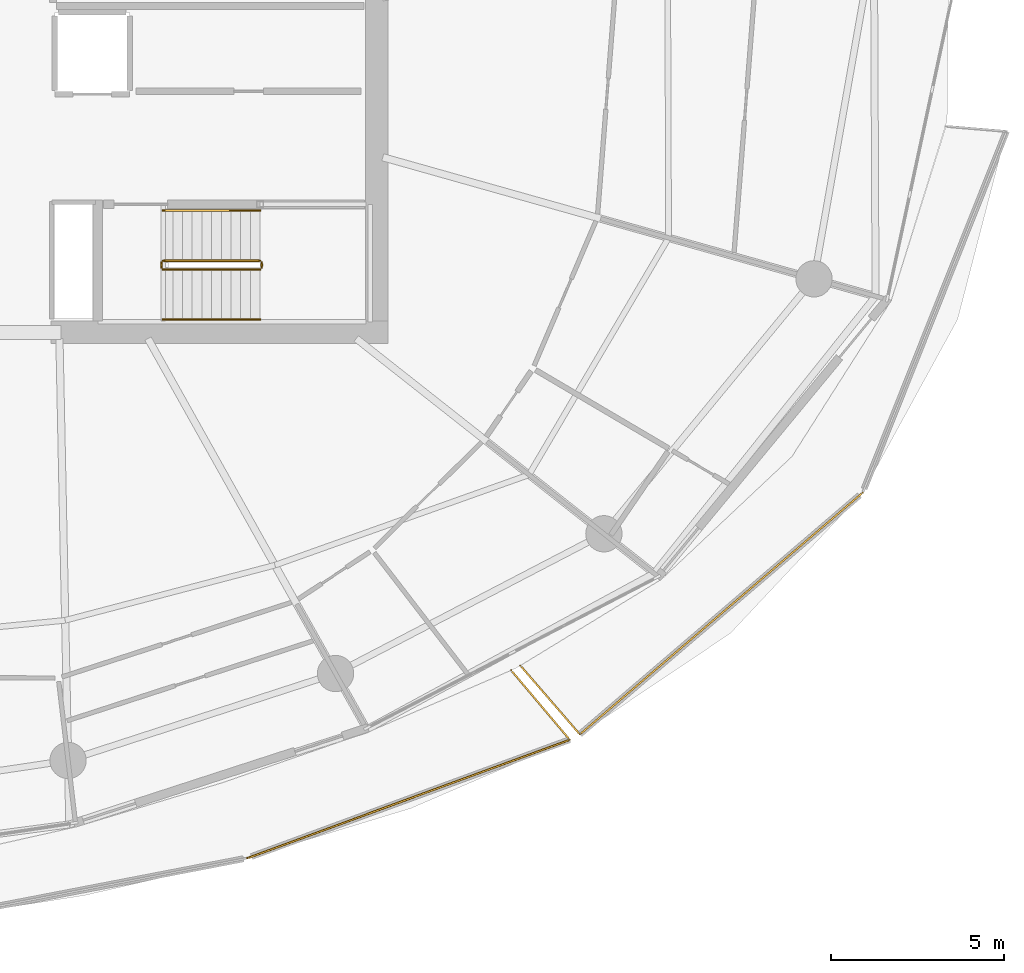
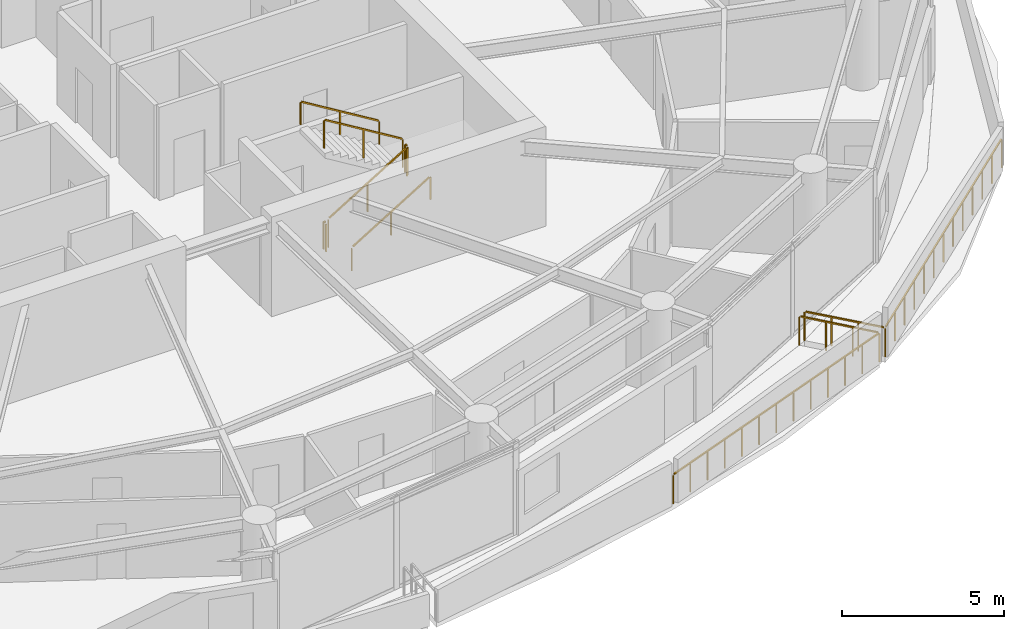
# One storey, part 19 of 21: 10 railings.
"""IFC4 building model written with IfcOpenShell, lengths in metres."""

import ifcopenshell
import ifcopenshell.guid

model = None  # the IFC model being written
_history = None  # IfcOwnerHistory: only IFC2X3 demands one
_inside = {}  # id of a spatial element -> (the spatial element, [elements in it])
_under = {}  # id of a project, library or spatial element -> (it, [spatial elements below it])
_declared = {}  # id of a project -> (the project, [libraries it declares])
_typed = {}  # id of a type object -> (the type object, [elements of that type])
_made_of = {}  # id of a material, layer set ... -> (it, [elements and type objects made of it])


def new_model(schema):
    """Start an empty IFC model of exactly this schema.

    Asked for "IFC4X3", IfcOpenShell would pick the latest addendum, in which some entities
    have other attributes; the version numbers below select the first issue.
    IFC2X3 requires an IfcOwnerHistory on every rooted entity: one is made here for all.
    """
    global model, _history
    if schema == "IFC4X3":
        model = ifcopenshell.file(schema_version=(4, 3, 0, 0))
    else:
        model = ifcopenshell.file(schema=schema)
    _inside.clear()
    _under.clear()
    _declared.clear()
    _typed.clear()
    _made_of.clear()
    _history = None
    if model.schema == "IFC2X3":
        org = make("IfcOrganization", Name="unknown")
        user = make(
            "IfcPersonAndOrganization",
            ThePerson=make("IfcPerson", FamilyName="unknown"),
            TheOrganization=org,
        )
        app = make(
            "IfcApplication",
            ApplicationDeveloper=org,
            Version="unknown",
            ApplicationFullName="unknown",
            ApplicationIdentifier="unknown",
        )
        _history = make(
            "IfcOwnerHistory",
            OwningUser=user,
            OwningApplication=app,
            ChangeAction="ADDED",
            CreationDate=0,
        )
    return model


def make(cls, **values):
    """One entity of the class cls with the attributes given. An attribute that is None is left unset."""
    return model.create_entity(
        cls, **{name: value for name, value in values.items() if value is not None}
    )


def rooted(cls, **values):
    """An entity with a GlobalId (a new one), such as an element, a storey or a relation."""
    return make(cls, GlobalId=ifcopenshell.guid.new(), OwnerHistory=_history, **values)


def si_unit(unit_type, name, prefix=None):
    """IfcSIUnit, for example si_unit("LENGTHUNIT", "METRE", prefix="MILLI")."""
    return make("IfcSIUnit", UnitType=unit_type, Prefix=prefix, Name=name)


def assignment(units):
    """IfcUnitAssignment: the units of a project."""
    return None if units is None else make("IfcUnitAssignment", Units=units)


def point(xyz):
    """IfcCartesianPoint."""
    return None if xyz is None else make("IfcCartesianPoint", Coordinates=xyz)


def direction(xyz):
    """IfcDirection."""
    return None if xyz is None else make("IfcDirection", DirectionRatios=xyz)


def frame(location, z_axis=None, x_axis=None):
    """IfcAxis2Placement3D, a coordinate frame: its origin and axes. An axis left out is left unset."""
    return make(
        "IfcAxis2Placement3D",
        Location=point(location),
        Axis=direction(z_axis),
        RefDirection=direction(x_axis),
    )


def frame_2d(location, x_axis=None):
    """IfcAxis2Placement2D, a coordinate frame in the plane: its origin and x axis."""
    return make(
        "IfcAxis2Placement2D", Location=point(location), RefDirection=direction(x_axis)
    )


def origin():
    """The frame at (0, 0, 0) with its axes left unset."""
    return frame((0.0, 0.0, 0.0))


def origin_2d():
    """The frame at (0, 0) in the plane with its x axis left unset."""
    return frame_2d((0.0, 0.0))


def place(relative_to, where):
    """IfcLocalPlacement: puts the frame where relative to a parent placement (None: the world)."""
    return make(
        "IfcLocalPlacement", PlacementRelTo=relative_to, RelativePlacement=where
    )


def context(
    kind, dimensions, precision=None, world=None, true_north=None, identifier=None
):
    """IfcGeometricRepresentationContext, for example the 3D "Model" context."""
    return make(
        "IfcGeometricRepresentationContext",
        ContextIdentifier=identifier,
        ContextType=kind,
        CoordinateSpaceDimension=dimensions,
        Precision=precision,
        WorldCoordinateSystem=world,
        TrueNorth=true_north,
    )


def subcontext(parent, identifier, kind, view, scale=None):
    """IfcGeometricRepresentationSubContext, for example "Body" below "Model"."""
    return make(
        "IfcGeometricRepresentationSubContext",
        ContextIdentifier=identifier,
        ContextType=kind,
        ParentContext=parent,
        TargetScale=scale,
        TargetView=view,
    )


def project(units=None, contexts=None):
    """IfcProject with its units and contexts."""
    return rooted(
        "IfcProject",
        Name="project",
        RepresentationContexts=contexts,
        UnitsInContext=assignment(units),
    )


def spatial(cls, under=None, at=None, **own):
    """A site, building, storey or space (cls), placed at a placement, below another one or the project."""
    s = rooted(cls, ObjectPlacement=at, **own)
    if under is not None:
        _under.setdefault(under.id(), (under, []))[1].append(s)
    return s


def profile(cls, at=None, kind="AREA", **sizes):
    """A parametric profile (cls). Its sizes go by their IFC names, for example OverallWidth=200.0."""
    return make(cls, ProfileType=kind, Position=at, **sizes)


def rectangle(**sizes):
    """IfcRectangleProfileDef."""
    return profile("IfcRectangleProfileDef", **sizes)


def extrude(swept, where, along, depth):
    """IfcExtrudedAreaSolid: the profile swept, set in the frame where, extruded along a direction by depth."""
    return make(
        "IfcExtrudedAreaSolid",
        SweptArea=swept,
        Position=where,
        ExtrudedDirection=direction(along),
        Depth=depth,
    )


def shape(context_of_items, identifier, shape_type, items):
    """IfcShapeRepresentation: the items that make up one representation, for example the "Body"."""
    return make(
        "IfcShapeRepresentation",
        ContextOfItems=context_of_items,
        RepresentationIdentifier=identifier,
        RepresentationType=shape_type,
        Items=items,
    )


def material(Name=None, Category=None):
    """IfcMaterial."""
    return make("IfcMaterial", Name=Name, Category=Category)


def made_of(thing, what):
    """Note that an element or type object is made of a material, layer set ...; save() writes the relation."""
    if what is not None:
        _made_of.setdefault(what.id(), (what, []))[1].append(thing)
    return thing


def type_object(cls, material=None, **own):
    """A type object (cls), such as IfcWallType, which elements share."""
    return made_of(rooted(cls, **own), material)


def element(
    cls,
    number,
    at=None,
    inside=None,
    cuts=None,
    type_object=None,
    material=None,
    context=None,
    identifier="Body",
    shape_type=None,
    held_by="IfcProductDefinitionShape",
    body=None,
    shapes=None,
    **own,
):
    """One element of the class cls, such as IfcWall. Its Tag is "e" and its number.

    at: its placement. inside: the storey or other place that contains it. cuts: it is an
    opening in that element (IfcRelVoidsElement). A single representation is given by context,
    identifier, shape_type and body (its items); several are given by shapes. held_by: the class
    of the entity that holds the representations. save() writes the other relations.
    """
    e = rooted(cls, Tag="e%d" % number, ObjectPlacement=at, **own)
    if body is not None:
        shapes = [shape(context, identifier, shape_type, body)]
    if shapes is not None:
        e.Representation = make(held_by, Representations=shapes)
    if inside is not None:
        _inside.setdefault(inside.id(), (inside, []))[1].append(e)
    if cuts is not None:
        rooted(
            "IfcRelVoidsElement", RelatingBuildingElement=cuts, RelatedOpeningElement=e
        )
    if type_object is not None:
        _typed.setdefault(type_object.id(), (type_object, []))[1].append(e)
    return made_of(e, material)


def aggregate(whole, parts):
    """IfcRelAggregates: a whole, such as a stair, and the parts it consists of."""
    return rooted("IfcRelAggregates", RelatingObject=whole, RelatedObjects=parts)


def save(model, path):
    """Write the relations noted so far, then the file.

    IfcRelAggregates (storeys below a building ...), IfcRelContainedInSpatialStructure (elements
    in a storey), IfcRelDefinesByType, IfcRelAssociatesMaterial and IfcRelDeclares: one each for
    every whole, place, type object, material and project.
    """
    for whole, parts in _under.values():
        aggregate(whole, parts)
    for where, things in _inside.values():
        rooted(
            "IfcRelContainedInSpatialStructure",
            RelatedElements=things,
            RelatingStructure=where,
        )
    for kind, things in _typed.values():
        rooted("IfcRelDefinesByType", RelatedObjects=things, RelatingType=kind)
    for what, things in _made_of.values():
        rooted("IfcRelAssociatesMaterial", RelatedObjects=things, RelatingMaterial=what)
    for by, libraries in _declared.values():
        rooted("IfcRelDeclares", RelatingContext=by, RelatedDefinitions=libraries)
    model.write(path)


model = new_model("IFC4")

# Units and contexts
model_context = context("Model", 3, precision=1e-05, world=origin(), true_north=direction((0.0, 1.0)))
body_context = subcontext(model_context, "Body", "Model", "MODEL_VIEW")
ifc_project = project(units=[si_unit("LENGTHUNIT", "METRE"), si_unit("AREAUNIT", "SQUARE_METRE"), si_unit("VOLUMEUNIT", "CUBIC_METRE"), si_unit("PLANEANGLEUNIT", "RADIAN"), si_unit("MASSUNIT", "GRAM", prefix="KILO")], contexts=[model_context])

# Site, building, storey
site_placement = place(None, origin())
site = spatial("IfcSite", under=ifc_project, at=site_placement, CompositionType="ELEMENT")
building_placement = place(site_placement, origin())
building = spatial("IfcBuilding", under=site, at=building_placement, Name="Kazma Halo Residences", CompositionType="ELEMENT")
storey_placement = place(building_placement, frame((0.0, 0.0, 191.550048828125)))
storey = spatial("IfcBuildingStorey", under=building, at=storey_placement, Name="L48", CompositionType="ELEMENT", Elevation=191.550048828125)

# Railings
ifc_material_1 = material(Name="Aluminium AW-6063 T6 Brushed Cap Rail", Category="aluminium")
railing_type_1 = type_object("IfcRailingType", Name="RLG-BAL-CAP-1120", PredefinedType="BALUSTRADE", material=ifc_material_1)
railing_1_placement = place(storey_placement, frame((55.64306640625, 18.476806640625, 0.0)))
element("IfcRailing", 1, at=railing_1_placement, inside=storey, type_object=railing_type_1, Name="L48 SSE wave balcony guard 3", PredefinedType="BALUSTRADE", context=body_context, shape_type="SweptSolid", body=[
    extrude(rectangle(XDim=0.050048828125, YDim=0.050048828125, at=origin_2d()), frame((0.0400390625, 0.0146484375, 1.09521484375), z_axis=(0.938664070995, 0.344832947706, 0.0), x_axis=(-0.344832947706, 0.938664070995, 0.0)), (0.0, 0.0, 1.0), 9.83740234375),
    extrude(rectangle(XDim=0.0400390625, YDim=0.0400390625, at=origin_2d()), origin(), (0.0, 0.0, 1.0), 1.05810546875),
    extrude(rectangle(XDim=0.0400390625, YDim=0.0400390625, at=origin_2d()), frame((0.776123046875, 0.28515625, 0.0)), (0.0, 0.0, 1.0), 1.05810546875),
    extrude(rectangle(XDim=0.0400390625, YDim=0.0400390625, at=origin_2d()), frame((1.55224609375, 0.5703125, 0.0)), (0.0, 0.0, 1.0), 1.05810546875),
    extrude(rectangle(XDim=0.0400390625, YDim=0.0400390625, at=origin_2d()), frame((2.32861328125, 0.85546875, 0.0)), (0.0, 0.0, 1.0), 1.05810546875),
    extrude(rectangle(XDim=0.0400390625, YDim=0.0400390625, at=origin_2d()), frame((3.104736328125, 1.140625, 0.0)), (0.0, 0.0, 1.0), 1.05810546875),
    extrude(rectangle(XDim=0.0400390625, YDim=0.0400390625, at=origin_2d()), frame((3.880859375, 1.42578125, 0.0)), (0.0, 0.0, 1.0), 1.05810546875),
    extrude(rectangle(XDim=0.0400390625, YDim=0.0400390625, at=origin_2d()), frame((4.656982421875, 1.7109375, 0.0)), (0.0, 0.0, 1.0), 1.05810546875),
    extrude(rectangle(XDim=0.0400390625, YDim=0.0400390625, at=origin_2d()), frame((5.43310546875, 1.995849609375, 0.0)), (0.0, 0.0, 1.0), 1.05810546875),
    extrude(rectangle(XDim=0.0400390625, YDim=0.0400390625, at=origin_2d()), frame((6.209228515625, 2.281005859375, 0.0)), (0.0, 0.0, 1.0), 1.05810546875),
    extrude(rectangle(XDim=0.0400390625, YDim=0.0400390625, at=origin_2d()), frame((6.9853515625, 2.566162109375, 0.0)), (0.0, 0.0, 1.0), 1.05810546875),
    extrude(rectangle(XDim=0.0400390625, YDim=0.0400390625, at=origin_2d()), frame((7.76171875, 2.851318359375, 0.0)), (0.0, 0.0, 1.0), 1.05810546875),
    extrude(rectangle(XDim=0.0400390625, YDim=0.0400390625, at=origin_2d()), frame((8.537841796875, 3.136474609375, 0.0)), (0.0, 0.0, 1.0), 1.05810546875),
    extrude(rectangle(XDim=0.0400390625, YDim=0.0400390625, at=origin_2d()), frame((9.31396484375, 3.421630859375, 0.0)), (0.0, 0.0, 1.0), 1.05810546875),
])
railing_2_placement = place(storey_placement, frame((64.95703125, 21.8984375, 0.0)))
element("IfcRailing", 2, at=railing_2_placement, inside=storey, type_object=railing_type_1, Name="L48 SSE wave balcony guard 4", PredefinedType="BALUSTRADE", context=body_context, shape_type="SweptSolid", body=[
    extrude(rectangle(XDim=0.050048828125, YDim=0.050048828125, at=origin_2d()), frame((-0.02734375, 0.032470703125, 1.09521484375), z_axis=(-0.644757158035, 0.764387471877, 0.0), x_axis=(-0.764387471877, -0.644757158035, 0.0)), (0.0, 0.0, 1.0), 2.539306640625),
    extrude(rectangle(XDim=0.0400390625, YDim=0.0400390625, at=origin_2d()), origin(), (0.0, 0.0, 1.0), 1.05810546875),
    extrude(rectangle(XDim=0.0400390625, YDim=0.0400390625, at=origin_2d()), frame((-0.56396484375, 0.668701171875, 0.0)), (0.0, 0.0, 1.0), 1.05810546875),
    extrude(rectangle(XDim=0.0400390625, YDim=0.0400390625, at=origin_2d()), frame((-1.128173828125, 1.33740234375, 0.0)), (0.0, 0.0, 1.0), 1.05810546875),
    extrude(rectangle(XDim=0.0400390625, YDim=0.0400390625, at=origin_2d()), frame((-1.692138671875, 2.006103515625, 0.0)), (0.0, 0.0, 1.0), 1.05810546875),
])
railing_3_placement = place(storey_placement, frame((63.528564453125, 24.041748046875, 0.0)))
element("IfcRailing", 3, at=railing_3_placement, inside=storey, type_object=railing_type_1, Name="L48 SE wave balcony guard 1", PredefinedType="BALUSTRADE", context=body_context, shape_type="SweptSolid", body=[
    extrude(rectangle(XDim=0.050048828125, YDim=0.050048828125, at=origin_2d()), frame((0.02783203125, -0.0322265625, 1.09521484375), z_axis=(0.654088758008, -0.756417805612, 0.0), x_axis=(0.756417805612, 0.654088758008, 0.0)), (0.0, 0.0, 1.0), 2.544189453125),
    extrude(rectangle(XDim=0.0400390625, YDim=0.0400390625, at=origin_2d()), origin(), (0.0, 0.0, 1.0), 1.05810546875),
    extrude(rectangle(XDim=0.0400390625, YDim=0.0400390625, at=origin_2d()), frame((0.5732421875, -0.662841796875, 0.0)), (0.0, 0.0, 1.0), 1.05810546875),
    extrude(rectangle(XDim=0.0400390625, YDim=0.0400390625, at=origin_2d()), frame((1.146484375, -1.325927734375, 0.0)), (0.0, 0.0, 1.0), 1.05810546875),
    extrude(rectangle(XDim=0.0400390625, YDim=0.0400390625, at=origin_2d()), frame((1.7197265625, -1.98876953125, 0.0)), (0.0, 0.0, 1.0), 1.05810546875),
])
railing_4_placement = place(storey_placement, frame((65.248291015625, 22.052978515625, 0.0)))
element("IfcRailing", 4, at=railing_4_placement, inside=storey, type_object=railing_type_1, Name="L48 SE wave balcony guard 2", PredefinedType="BALUSTRADE", context=body_context, shape_type="SweptSolid", body=[
    extrude(rectangle(XDim=0.050048828125, YDim=0.050048828125, at=origin_2d()), frame((0.0322265625, 0.027587890625, 1.09521484375), z_axis=(0.760234299522, 0.64964898971, 0.0), x_axis=(-0.64964898971, 0.760234299522, 0.0)), (0.0, 0.0, 1.0), 10.67529296875),
    extrude(rectangle(XDim=0.0400390625, YDim=0.0400390625, at=origin_2d()), origin(), (0.0, 0.0, 1.0), 1.05810546875),
    extrude(rectangle(XDim=0.0400390625, YDim=0.0400390625, at=origin_2d()), frame((0.681640625, 0.58251953125, 0.0)), (0.0, 0.0, 1.0), 1.05810546875),
    extrude(rectangle(XDim=0.0400390625, YDim=0.0400390625, at=origin_2d()), frame((1.36328125, 1.1650390625, 0.0)), (0.0, 0.0, 1.0), 1.05810546875),
    extrude(rectangle(XDim=0.0400390625, YDim=0.0400390625, at=origin_2d()), frame((2.045166015625, 1.74755859375, 0.0)), (0.0, 0.0, 1.0), 1.05810546875),
    extrude(rectangle(XDim=0.0400390625, YDim=0.0400390625, at=origin_2d()), frame((2.726806640625, 2.330078125, 0.0)), (0.0, 0.0, 1.0), 1.05810546875),
    extrude(rectangle(XDim=0.0400390625, YDim=0.0400390625, at=origin_2d()), frame((3.408447265625, 2.91259765625, 0.0)), (0.0, 0.0, 1.0), 1.05810546875),
    extrude(rectangle(XDim=0.0400390625, YDim=0.0400390625, at=origin_2d()), frame((4.09033203125, 3.4951171875, 0.0)), (0.0, 0.0, 1.0), 1.05810546875),
    extrude(rectangle(XDim=0.0400390625, YDim=0.0400390625, at=origin_2d()), frame((4.77197265625, 4.077880859375, 0.0)), (0.0, 0.0, 1.0), 1.05810546875),
    extrude(rectangle(XDim=0.0400390625, YDim=0.0400390625, at=origin_2d()), frame((5.45361328125, 4.660400390625, 0.0)), (0.0, 0.0, 1.0), 1.05810546875),
    extrude(rectangle(XDim=0.0400390625, YDim=0.0400390625, at=origin_2d()), frame((6.13525390625, 5.242919921875, 0.0)), (0.0, 0.0, 1.0), 1.05810546875),
    extrude(rectangle(XDim=0.0400390625, YDim=0.0400390625, at=origin_2d()), frame((6.81689453125, 5.825439453125, 0.0)), (0.0, 0.0, 1.0), 1.05810546875),
    extrude(rectangle(XDim=0.0400390625, YDim=0.0400390625, at=origin_2d()), frame((7.498779296875, 6.407958984375, 0.0)), (0.0, 0.0, 1.0), 1.05810546875),
    extrude(rectangle(XDim=0.0400390625, YDim=0.0400390625, at=origin_2d()), frame((8.180419921875, 6.990478515625, 0.0)), (0.0, 0.0, 1.0), 1.05810546875),
])
ifc_material_2 = material(Name="Painted Steel S355", Category="steel")
railing_type_2 = type_object("IfcRailingType", Name="RLG-STAIR-GRD-1100", PredefinedType="GUARDRAIL", material=ifc_material_2)
railing_5_placement = place(storey_placement, frame((53.199951171875, 35.5, 0.17041015625)))
element("IfcRailing", 5, at=railing_5_placement, inside=storey, type_object=railing_type_2, Name="L48 ST-03 stair guard 1", PredefinedType="GUARDRAIL", context=body_context, shape_type="SweptSolid", body=[
    extrude(rectangle(XDim=0.050048828125, YDim=0.050048828125, at=origin_2d()), frame((0.036376953125, 0.0, 1.09716796875), z_axis=(0.854169791009, 0.0, 0.51999420009), x_axis=(0.0, 1.0, 0.0)), (0.0, 0.0, 1.0), 3.193115234375),
    extrude(rectangle(XDim=0.0400390625, YDim=0.0400390625, at=origin_2d()), origin(), (0.0, 0.0, 1.0), 1.0380859375),
    extrude(rectangle(XDim=0.0400390625, YDim=0.0400390625, at=origin_2d()), frame((1.39990234375, 0.0, 0.852294921875)), (0.0, 0.0, 1.0), 1.0380859375),
    extrude(rectangle(XDim=0.0400390625, YDim=0.0400390625, at=origin_2d()), frame((2.800048828125, 0.0, 1.70458984375)), (0.0, 0.0, 1.0), 1.0380859375),
])
railing_6_placement = place(storey_placement, frame((56.050048828125, 35.550048828125, 1.875)))
element("IfcRailing", 6, at=railing_6_placement, inside=storey, type_object=railing_type_2, Name="L48 ST-03 stair guard 2", PredefinedType="GUARDRAIL", context=body_context, shape_type="SweptSolid", body=[
    extrude(rectangle(XDim=0.050048828125, YDim=0.050048828125, at=origin_2d()), frame((0.0, 0.04248046875, 1.0751953125), z_axis=(0.0, 1.0, 0.0), x_axis=(-1.0, 0.0, 0.0)), (0.0, 0.0, 1.0), 0.06494140625),
    extrude(rectangle(XDim=0.0400390625, YDim=0.0400390625, at=origin_2d()), origin(), (0.0, 0.0, 1.0), 1.0380859375),
    extrude(rectangle(XDim=0.0400390625, YDim=0.0400390625, at=origin_2d()), frame((0.0, 0.14990234375, 0.0)), (0.0, 0.0, 1.0), 1.0380859375),
])
railing_7_placement = place(storey_placement, frame((56.0, 35.75, 2.04541015625)))
element("IfcRailing", 7, at=railing_7_placement, inside=storey, type_object=railing_type_2, Name="L48 ST-03 stair guard 3", PredefinedType="GUARDRAIL", context=body_context, shape_type="SweptSolid", body=[
    extrude(rectangle(XDim=0.050048828125, YDim=0.050048828125, at=origin_2d()), frame((-0.036376953125, 0.0, 1.09716796875), z_axis=(-0.854169791009, 0.0, 0.51999420009), x_axis=(0.0, -1.0, 0.0)), (0.0, 0.0, 1.0), 3.193115234375),
    extrude(rectangle(XDim=0.0400390625, YDim=0.0400390625, at=origin_2d()), origin(), (0.0, 0.0, 1.0), 1.0380859375),
    extrude(rectangle(XDim=0.0400390625, YDim=0.0400390625, at=origin_2d()), frame((-1.39990234375, 0.0, 0.852294921875)), (0.0, 0.0, 1.0), 1.0380859375),
    extrude(rectangle(XDim=0.0400390625, YDim=0.0400390625, at=origin_2d()), frame((-2.800048828125, 0.0, 1.70458984375)), (0.0, 0.0, 1.0), 1.0380859375),
])
railing_8_placement = place(storey_placement, frame((53.14990234375, 35.550048828125, 0.0)))
element("IfcRailing", 8, at=railing_8_placement, inside=storey, type_object=railing_type_2, Name="L48 ST-03 stair guard 4", PredefinedType="GUARDRAIL", context=body_context, shape_type="SweptSolid", body=[
    extrude(rectangle(XDim=0.050048828125, YDim=0.050048828125, at=origin_2d()), frame((0.0, 0.04248046875, 1.0751953125), z_axis=(0.0, 1.0, 0.0), x_axis=(-1.0, 0.0, 0.0)), (0.0, 0.0, 1.0), 0.06494140625),
    extrude(rectangle(XDim=0.0400390625, YDim=0.0400390625, at=origin_2d()), origin(), (0.0, 0.0, 1.0), 1.0380859375),
    extrude(rectangle(XDim=0.0400390625, YDim=0.0400390625, at=origin_2d()), frame((0.0, 0.14990234375, 0.0)), (0.0, 0.0, 1.0), 1.0380859375),
])
ifc_material_3 = material(Name="Brushed Stainless Steel", Category="steel")
railing_type_3 = type_object("IfcRailingType", Name="RLG-STAIR-HND-900", PredefinedType="HANDRAIL", material=ifc_material_3)
railing_9_placement = place(storey_placement, frame((53.199951171875, 34.050048828125, 0.17041015625)))
element("IfcRailing", 9, at=railing_9_placement, inside=storey, type_object=railing_type_3, Name="L48 ST-03 stair handrail 1", PredefinedType="HANDRAIL", context=body_context, shape_type="SweptSolid", body=[
    extrude(rectangle(XDim=0.050048828125, YDim=0.050048828125, at=origin_2d()), frame((0.036376953125, 0.0, 0.89697265625), z_axis=(0.854169791009, 0.0, 0.51999420009), x_axis=(0.0, 1.0, 0.0)), (0.0, 0.0, 1.0), 3.193115234375),
    extrude(rectangle(XDim=0.0400390625, YDim=0.0400390625, at=origin_2d()), origin(), (0.0, 0.0, 1.0), 0.837890625),
    extrude(rectangle(XDim=0.0400390625, YDim=0.0400390625, at=origin_2d()), frame((1.39990234375, 0.0, 0.852294921875)), (0.0, 0.0, 1.0), 0.837890625),
    extrude(rectangle(XDim=0.0400390625, YDim=0.0400390625, at=origin_2d()), frame((2.800048828125, 0.0, 1.70458984375)), (0.0, 0.0, 1.0), 0.837890625),
])
railing_10_placement = place(storey_placement, frame((56.0, 37.199951171875, 2.04541015625)))
element("IfcRailing", 10, at=railing_10_placement, inside=storey, type_object=railing_type_3, Name="L48 ST-03 stair handrail 2", PredefinedType="HANDRAIL", context=body_context, shape_type="SweptSolid", body=[
    extrude(rectangle(XDim=0.050048828125, YDim=0.050048828125, at=origin_2d()), frame((-0.036376953125, 0.0, 0.89697265625), z_axis=(-0.854169791009, 0.0, 0.51999420009), x_axis=(0.0, -1.0, 0.0)), (0.0, 0.0, 1.0), 3.193115234375),
    extrude(rectangle(XDim=0.0400390625, YDim=0.0400390625, at=origin_2d()), origin(), (0.0, 0.0, 1.0), 0.837890625),
    extrude(rectangle(XDim=0.0400390625, YDim=0.0400390625, at=origin_2d()), frame((-1.39990234375, 0.0, 0.852294921875)), (0.0, 0.0, 1.0), 0.837890625),
    extrude(rectangle(XDim=0.0400390625, YDim=0.0400390625, at=origin_2d()), frame((-2.800048828125, 0.0, 1.70458984375)), (0.0, 0.0, 1.0), 0.837890625),
])

save(model, "model.ifc")
